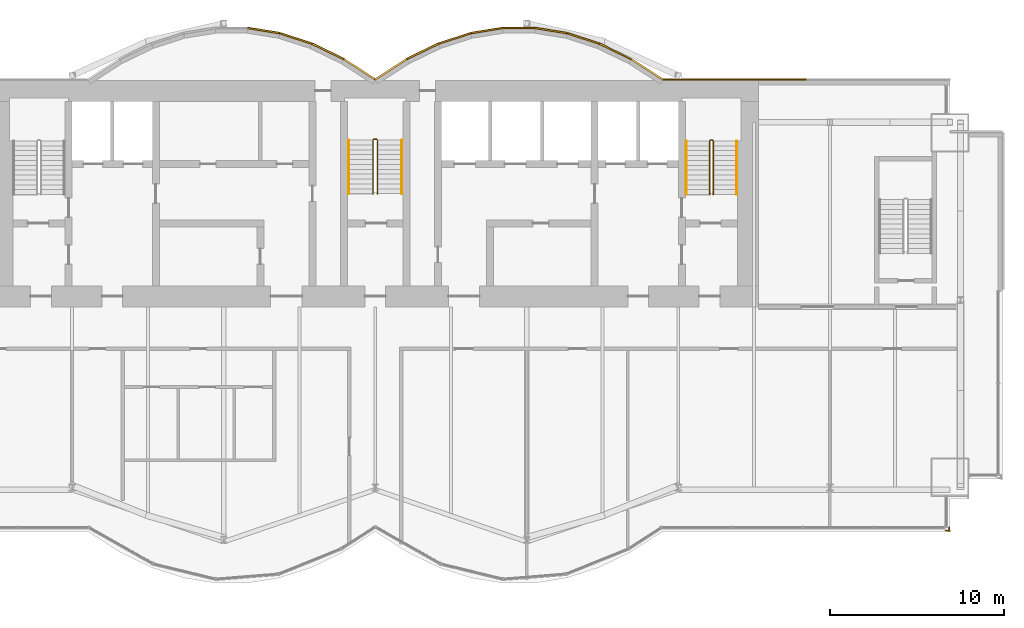
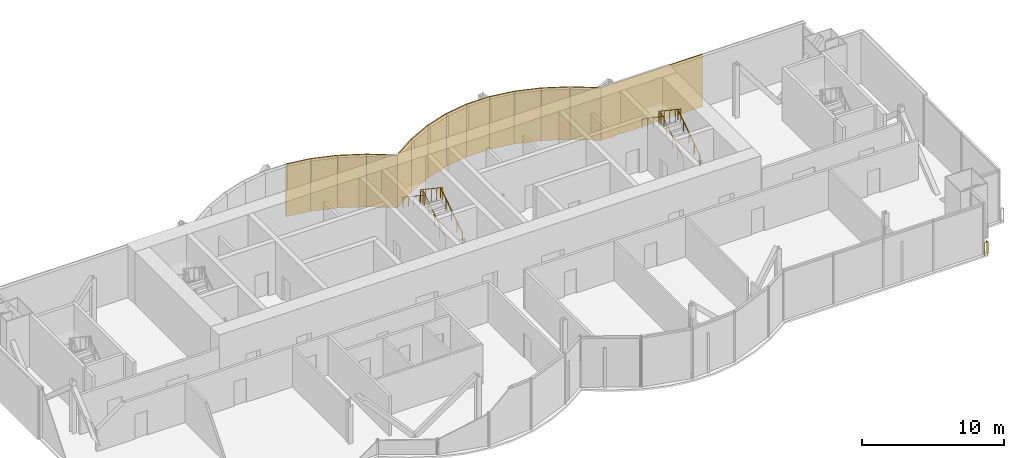
# One storey, part 16 of 17: 14 coverings, 7 railings.
"""IFC4 building model written with IfcOpenShell, lengths in metres."""

from ifc_helpers import new_model, si_unit, direction, frame, origin, origin_2d, place, context, subcontext, project, spatial, rectangle, circle, extrude, material, layer, layer_set, type_object, element, save


model = new_model("IFC4")

# Units and contexts
model_context = context("Model", 3, precision=1e-05, world=origin(), true_north=direction((0.0, 1.0)))
body_context = subcontext(model_context, "Body", "Model", "MODEL_VIEW")
ifc_project = project(units=[si_unit("LENGTHUNIT", "METRE"), si_unit("AREAUNIT", "SQUARE_METRE"), si_unit("VOLUMEUNIT", "CUBIC_METRE"), si_unit("PLANEANGLEUNIT", "RADIAN"), si_unit("MASSUNIT", "GRAM", prefix="KILO")], contexts=[model_context])

# Site, building, storey
site_placement = place(None, origin())
site = spatial("IfcSite", under=ifc_project, at=site_placement, CompositionType="ELEMENT")
building_placement = place(site_placement, origin())
building = spatial("IfcBuilding", under=site, at=building_placement, Name="Bicima Exchange Tower", CompositionType="ELEMENT")
storey_placement = place(building_placement, frame((0.0, 0.0, 320.0)))
storey = spatial("IfcBuildingStorey", under=building, at=storey_placement, Name="L72", CompositionType="ELEMENT", Elevation=320.0)

# Coverings
ifc_material_1 = material(Name="Bronze metal cladding")
ifc_layer_1 = layer(ifc_material_1, 0.004)
ifc_material_2 = material(Name="Ventilated cavity")
ifc_layer_2 = layer(ifc_material_2, 0.06)
ifc_material_3 = material(Name="Galvanised steel rail and mineral wool", Category="steel")
ifc_layer_3 = layer(ifc_material_3, 0.036)
ifc_layer_set = layer_set([ifc_layer_1, ifc_layer_2, ifc_layer_3], Name="Ventilated cavity")
covering_type = type_object("IfcCoveringType", Name="Bronze metal cladding panel 100", PredefinedType="CLADDING", material=ifc_layer_set)
covering_1_placement = place(storey_placement, frame((20.625, 0.050048828125, -0.14990234375), z_axis=(0.0, 0.0, 1.0), x_axis=(-1.0, 0.0, 0.0)))
element("IfcCovering", 1, at=covering_1_placement, inside=storey, type_object=covering_type, Name="Bronze cladding L72 1.2", PredefinedType="CLADDING", context=body_context, shape_type="SweptSolid", body=[
    extrude(rectangle(XDim=8.25, YDim=0.10009765625, at=origin_2d()), origin(), (0.0, 0.0, 1.0), 4.5),
])
covering_2_placement = place(storey_placement, frame((15.610595703125, 0.634521484375, -0.14990234375), z_axis=(0.0, 0.0, 1.0), x_axis=(-0.839790466384, 0.542910648791, 0.0)))
element("IfcCovering", 2, at=covering_2_placement, inside=storey, type_object=covering_type, Name="Bronze cladding L72 2.1", PredefinedType="CLADDING", context=body_context, shape_type="SweptSolid", body=[
    extrude(rectangle(XDim=2.18310546875, YDim=0.10009765625, at=origin_2d()), origin(), (0.0, 0.0, 1.0), 4.5),
])
covering_3_placement = place(storey_placement, frame((13.771728515625, 1.674560546875, -0.14990234375), z_axis=(0.0, 0.0, 1.0), x_axis=(-0.899818346812, 0.436264762204, 0.0)))
element("IfcCovering", 3, at=covering_3_placement, inside=storey, type_object=covering_type, Name="Bronze cladding L72 3.1", PredefinedType="CLADDING", context=body_context, shape_type="SweptSolid", body=[
    extrude(rectangle(XDim=2.03759765625, YDim=0.10009765625, at=origin_2d()), origin(), (0.0, 0.0, 1.0), 4.5),
])
covering_4_placement = place(storey_placement, frame((11.931884765625, 2.41796875, -0.14990234375), z_axis=(0.0, 0.0, 1.0), x_axis=(-0.951524642381, 0.307572519808, 0.0)))
element("IfcCovering", 4, at=covering_4_placement, inside=storey, type_object=covering_type, Name="Bronze cladding L72 4.1", PredefinedType="CLADDING", context=body_context, shape_type="SweptSolid", body=[
    extrude(rectangle(XDim=1.9267578125, YDim=0.10009765625, at=origin_2d()), origin(), (0.0, 0.0, 1.0), 4.5),
])
covering_5_placement = place(storey_placement, frame((10.09130859375, 2.8642578125, -0.14990234375), z_axis=(0.0, 0.0, 1.0), x_axis=(-0.987189786347, 0.159550386184, 0.0)))
element("IfcCovering", 5, at=covering_5_placement, inside=storey, type_object=covering_type, Name="Bronze cladding L72 5.1", PredefinedType="CLADDING", context=body_context, shape_type="SweptSolid", body=[
    extrude(rectangle(XDim=1.857177734375, YDim=0.10009765625, at=origin_2d()), origin(), (0.0, 0.0, 1.0), 4.5),
])
covering_6_placement = place(storey_placement, frame((8.25, 3.012939453125, -0.14990234375), z_axis=(0.0, 0.0, 1.0), x_axis=(-1.0, 0.0, 0.0)))
element("IfcCovering", 6, at=covering_6_placement, inside=storey, type_object=covering_type, Name="Bronze cladding L72 6.1", PredefinedType="CLADDING", context=body_context, shape_type="SweptSolid", body=[
    extrude(rectangle(XDim=1.83349609375, YDim=0.10009765625, at=origin_2d()), origin(), (0.0, 0.0, 1.0), 4.5),
])
covering_7_placement = place(storey_placement, frame((6.40869140625, 2.8642578125, -0.14990234375), z_axis=(0.0, 0.0, 1.0), x_axis=(-0.987189786347, -0.159550386184, 0.0)))
element("IfcCovering", 7, at=covering_7_placement, inside=storey, type_object=covering_type, Name="Bronze cladding L72 7.1", PredefinedType="CLADDING", context=body_context, shape_type="SweptSolid", body=[
    extrude(rectangle(XDim=1.857177734375, YDim=0.10009765625, at=origin_2d()), origin(), (0.0, 0.0, 1.0), 4.5),
])
covering_8_placement = place(storey_placement, frame((4.568115234375, 2.41796875, -0.14990234375), z_axis=(0.0, 0.0, 1.0), x_axis=(-0.951524642381, -0.307572519808, 0.0)))
element("IfcCovering", 8, at=covering_8_placement, inside=storey, type_object=covering_type, Name="Bronze cladding L72 8.1", PredefinedType="CLADDING", context=body_context, shape_type="SweptSolid", body=[
    extrude(rectangle(XDim=1.9267578125, YDim=0.10009765625, at=origin_2d()), origin(), (0.0, 0.0, 1.0), 4.5),
])
covering_9_placement = place(storey_placement, frame((2.728271484375, 1.674560546875, -0.14990234375), z_axis=(0.0, 0.0, 1.0), x_axis=(-0.899818346812, -0.436264762204, 0.0)))
element("IfcCovering", 9, at=covering_9_placement, inside=storey, type_object=covering_type, Name="Bronze cladding L72 9.1", PredefinedType="CLADDING", context=body_context, shape_type="SweptSolid", body=[
    extrude(rectangle(XDim=2.03759765625, YDim=0.10009765625, at=origin_2d()), origin(), (0.0, 0.0, 1.0), 4.5),
])
for number, where, z_axis, x_axis, name in (
    (10, (0.889404296875, 0.634521484375, -0.14990234375), (0.0, 0.0, 1.0), (-0.839790466384, -0.542910648791, 0.0), "Bronze cladding L72 10.1"),
    (11, (-0.889404296875, 0.634521484375, -0.14990234375), (0.0, 0.0, 1.0), (-0.839790466384, 0.542910648791, 0.0), "Bronze cladding L72 11.1"),
):
    element("IfcCovering", number, at=place(storey_placement, frame(where, z_axis=z_axis, x_axis=x_axis)), inside=storey, type_object=covering_type, Name=name, PredefinedType="CLADDING", context=body_context, shape_type="SweptSolid", body=[
        extrude(rectangle(XDim=2.18310546875, YDim=0.10009765625, at=origin_2d()), origin(), (0.0, 0.0, 1.0), 4.5),
    ])
covering_10_placement = place(storey_placement, frame((-2.728271484375, 1.674560546875, -0.14990234375), z_axis=(0.0, 0.0, 1.0), x_axis=(-0.899818346812, 0.436264762204, 0.0)))
element("IfcCovering", 12, at=covering_10_placement, inside=storey, type_object=covering_type, Name="Bronze cladding L72 12.1", PredefinedType="CLADDING", context=body_context, shape_type="SweptSolid", body=[
    extrude(rectangle(XDim=2.03759765625, YDim=0.10009765625, at=origin_2d()), origin(), (0.0, 0.0, 1.0), 4.5),
])
covering_11_placement = place(storey_placement, frame((-4.568115234375, 2.41796875, -0.14990234375), z_axis=(0.0, 0.0, 1.0), x_axis=(-0.951524642381, 0.307572519808, 0.0)))
element("IfcCovering", 13, at=covering_11_placement, inside=storey, type_object=covering_type, Name="Bronze cladding L72 13.1", PredefinedType="CLADDING", context=body_context, shape_type="SweptSolid", body=[
    extrude(rectangle(XDim=1.9267578125, YDim=0.10009765625, at=origin_2d()), origin(), (0.0, 0.0, 1.0), 4.5),
])
covering_12_placement = place(storey_placement, frame((-6.40869140625, 2.8642578125, -0.14990234375), z_axis=(0.0, 0.0, 1.0), x_axis=(-0.987189786347, 0.159550386184, 0.0)))
element("IfcCovering", 14, at=covering_12_placement, inside=storey, type_object=covering_type, Name="Bronze cladding L72 14.1", PredefinedType="CLADDING", context=body_context, shape_type="SweptSolid", body=[
    extrude(rectangle(XDim=1.857177734375, YDim=0.10009765625, at=origin_2d()), origin(), (0.0, 0.0, 1.0), 4.5),
])

# Railings
ifc_material_4 = material(Name="Stainless steel and bonded safety glass", Category="steel")
railing_type_1 = type_object("IfcRailingType", Name="Edge guard 1100", PredefinedType="GUARDRAIL", material=ifc_material_4)
railing_1_placement = place(storey_placement, frame((32.949951171875, -25.658935546875, 0.0)))
element("IfcRailing", 15, at=railing_1_placement, inside=storey, type_object=railing_type_1, Name="Edge guard L72 376", PredefinedType="GUARDRAIL", context=body_context, shape_type="SweptSolid", body=[
    extrude(circle(Radius=0.02392578125, at=origin_2d()), frame((0.0, 0.0, 1.076171875), z_axis=(0.0, -1.0, 0.0), x_axis=(1.0, 0.0, 0.0)), (0.0, 0.0, 1.0), 0.237060546875),
    extrude(circle(Radius=0.02392578125, at=origin_2d()), frame((0.0, -0.237060546875, 1.076171875), z_axis=(0.707106781187, 0.707106781187, 0.0), x_axis=(-0.707106781187, 0.707106781187, 0.0)), (0.0, 0.0, 1.0), 0.07080078125),
    extrude(circle(Radius=0.02392578125, at=origin_2d()), frame((0.050048828125, -0.18701171875, 1.076171875), z_axis=(-1.0, 0.0, 0.0), x_axis=(0.0, -1.0, 0.0)), (0.0, 0.0, 1.0), 0.25),
    extrude(circle(Radius=0.02099609375, at=origin_2d()), origin(), (0.0, 0.0, 1.0), 1.052001953125),
    extrude(circle(Radius=0.02099609375, at=origin_2d()), frame((0.0, -0.237060546875, 0.0)), (0.0, 0.0, 1.0), 1.052001953125),
    extrude(circle(Radius=0.02099609375, at=origin_2d()), frame((0.050048828125, -0.18701171875, 0.0)), (0.0, 0.0, 1.0), 1.052001953125),
    extrude(circle(Radius=0.02099609375, at=origin_2d()), frame((-0.199951171875, -0.18701171875, 0.0)), (0.0, 0.0, 1.0), 1.052001953125),
])
ifc_material_5 = material(Name="Stainless steel", Category="steel")
railing_type_2 = type_object("IfcRailingType", Name="Stair guard 1100", PredefinedType="GUARDRAIL", material=ifc_material_5)
railing_2_placement = place(storey_placement, frame((0.125, -6.5, 0.1875)))
element("IfcRailing", 16, at=railing_2_placement, inside=storey, type_object=railing_type_2, Name="L72 ST-C stair guard 1", PredefinedType="GUARDRAIL", context=body_context, shape_type="SweptSolid", body=[
    extrude(circle(Radius=0.02392578125, at=origin_2d()), frame((0.0, 0.0, 1.076171875), z_axis=(0.0, 0.830913701846, 0.55640131208), x_axis=(-1.0, 0.0, 0.0)), (0.0, 0.0, 1.0), 3.706787109375),
    extrude(circle(Radius=0.02392578125, at=origin_2d()), frame((0.0, 3.080078125, 3.138671875), z_axis=(-0.708833529934, 0.705375805398, 0.0), x_axis=(-0.705375805398, -0.708833529934, 0.0)), (0.0, 0.0, 1.0), 0.070556640625),
    extrude(circle(Radius=0.02392578125, at=origin_2d()), frame((-0.050048828125, 3.1298828125, 3.138671875), z_axis=(-1.0, 0.0, 0.0), x_axis=(0.0, -1.0, 0.0)), (0.0, 0.0, 1.0), 0.14990234375),
    extrude(circle(Radius=0.02392578125, at=origin_2d()), frame((-0.199951171875, 3.1298828125, 3.138671875), z_axis=(-0.249802250048, -0.248583702486, 0.935844527007), x_axis=(0.705375805398, -0.708833529934, 0.0)), (0.0, 0.0, 1.0), 0.200439453125),
    extrude(circle(Radius=0.02392578125, at=origin_2d()), frame((-0.25, 3.080078125, 3.326171875), z_axis=(0.0, -0.830913701846, 0.55640131208), x_axis=(1.0, 0.0, 0.0)), (0.0, 0.0, 1.0), 3.706787109375),
    extrude(circle(Radius=0.02099609375, at=origin_2d()), origin(), (0.0, 0.0, 1.0), 1.052001953125),
    extrude(circle(Radius=0.02099609375, at=origin_2d()), frame((0.0, 0.77001953125, 0.515625)), (0.0, 0.0, 1.0), 1.052001953125),
    extrude(circle(Radius=0.02099609375, at=origin_2d()), frame((0.0, 1.5400390625, 1.03125)), (0.0, 0.0, 1.0), 1.052001953125),
    extrude(circle(Radius=0.02099609375, at=origin_2d()), frame((0.0, 2.31005859375, 1.546875)), (0.0, 0.0, 1.0), 1.052001953125),
    extrude(circle(Radius=0.02099609375, at=origin_2d()), frame((0.0, 3.080078125, 2.0625)), (0.0, 0.0, 1.0), 1.052001953125),
    extrude(circle(Radius=0.02099609375, at=origin_2d()), frame((-0.050048828125, 3.1298828125, 2.0625)), (0.0, 0.0, 1.0), 1.052001953125),
    extrude(circle(Radius=0.02099609375, at=origin_2d()), frame((-0.199951171875, 3.1298828125, 2.0625)), (0.0, 0.0, 1.0), 1.052001953125),
    extrude(circle(Radius=0.02099609375, at=origin_2d()), frame((-0.25, 3.080078125, 2.25)), (0.0, 0.0, 1.0), 1.052001953125),
    extrude(circle(Radius=0.02099609375, at=origin_2d()), frame((-0.25, 2.31005859375, 2.765625)), (0.0, 0.0, 1.0), 1.052001953125),
    extrude(circle(Radius=0.02099609375, at=origin_2d()), frame((-0.25, 1.5400390625, 3.28125)), (0.0, 0.0, 1.0), 1.052001953125),
    extrude(circle(Radius=0.02099609375, at=origin_2d()), frame((-0.25, 0.77001953125, 3.796875)), (0.0, 0.0, 1.0), 1.052001953125),
    extrude(circle(Radius=0.02099609375, at=origin_2d()), frame((-0.25, 0.0, 4.3125)), (0.0, 0.0, 1.0), 1.052001953125),
])
railing_3_placement = place(storey_placement, frame((19.39990234375, -6.550048828125, 0.1875)))
element("IfcRailing", 17, at=railing_3_placement, inside=storey, type_object=railing_type_2, Name="L72 ST-E stair guard 1", PredefinedType="GUARDRAIL", context=body_context, shape_type="SweptSolid", body=[
    extrude(circle(Radius=0.02392578125, at=origin_2d()), frame((0.0, 0.0, 1.076171875), z_axis=(0.0, 0.830913701846, 0.55640131208), x_axis=(-1.0, 0.0, 0.0)), (0.0, 0.0, 1.0), 3.706787109375),
    extrude(circle(Radius=0.02392578125, at=origin_2d()), frame((0.0, 3.080078125, 3.138671875), z_axis=(-0.705375805398, 0.708833529934, 0.0), x_axis=(-0.708833529934, -0.705375805398, 0.0)), (0.0, 0.0, 1.0), 0.070556640625),
    extrude(circle(Radius=0.02392578125, at=origin_2d()), frame((-0.0498046875, 3.130126953125, 3.138671875), z_axis=(-1.0, 0.0, 0.0), x_axis=(0.0, -1.0, 0.0)), (0.0, 0.0, 1.0), 0.10009765625),
    extrude(circle(Radius=0.02392578125, at=origin_2d()), frame((-0.14990234375, 3.130126953125, 3.138671875), z_axis=(-0.249726431254, -0.249726431254, 0.935560483917), x_axis=(0.707106781187, -0.707106781187, 0.0)), (0.0, 0.0, 1.0), 0.200439453125),
    extrude(circle(Radius=0.02392578125, at=origin_2d()), frame((-0.199951171875, 3.080078125, 3.326171875), z_axis=(0.0, -0.830913701846, 0.55640131208), x_axis=(1.0, 0.0, 0.0)), (0.0, 0.0, 1.0), 3.706787109375),
    extrude(circle(Radius=0.02099609375, at=origin_2d()), origin(), (0.0, 0.0, 1.0), 1.052001953125),
    extrude(circle(Radius=0.02099609375, at=origin_2d()), frame((0.0, 0.77001953125, 0.515625)), (0.0, 0.0, 1.0), 1.052001953125),
    extrude(circle(Radius=0.02099609375, at=origin_2d()), frame((0.0, 1.5400390625, 1.03125)), (0.0, 0.0, 1.0), 1.052001953125),
    extrude(circle(Radius=0.02099609375, at=origin_2d()), frame((0.0, 2.31005859375, 1.546875)), (0.0, 0.0, 1.0), 1.052001953125),
    extrude(circle(Radius=0.02099609375, at=origin_2d()), frame((0.0, 3.080078125, 2.0625)), (0.0, 0.0, 1.0), 1.052001953125),
    extrude(circle(Radius=0.02099609375, at=origin_2d()), frame((-0.0498046875, 3.130126953125, 2.0625)), (0.0, 0.0, 1.0), 1.052001953125),
    extrude(circle(Radius=0.02099609375, at=origin_2d()), frame((-0.14990234375, 3.130126953125, 2.0625)), (0.0, 0.0, 1.0), 1.052001953125),
    extrude(circle(Radius=0.02099609375, at=origin_2d()), frame((-0.199951171875, 3.080078125, 2.25)), (0.0, 0.0, 1.0), 1.052001953125),
    extrude(circle(Radius=0.02099609375, at=origin_2d()), frame((-0.199951171875, 2.31005859375, 2.765625)), (0.0, 0.0, 1.0), 1.052001953125),
    extrude(circle(Radius=0.02099609375, at=origin_2d()), frame((-0.199951171875, 1.5400390625, 3.28125)), (0.0, 0.0, 1.0), 1.052001953125),
    extrude(circle(Radius=0.02099609375, at=origin_2d()), frame((-0.199951171875, 0.77001953125, 3.796875)), (0.0, 0.0, 1.0), 1.052001953125),
    extrude(circle(Radius=0.02099609375, at=origin_2d()), frame((-0.199951171875, 0.0, 4.3125)), (0.0, 0.0, 1.0), 1.052001953125),
])
railing_type_3 = type_object("IfcRailingType", Name="Stair handrail 900", PredefinedType="HANDRAIL", material=ifc_material_5)
railing_4_placement = place(storey_placement, frame((1.52490234375, -6.5, 0.1875)))
element("IfcRailing", 18, at=railing_4_placement, inside=storey, type_object=railing_type_3, Name="L72 ST-C stair handrail 1", PredefinedType="HANDRAIL", context=body_context, shape_type="SweptSolid", body=[
    extrude(circle(Radius=0.02392578125, at=origin_2d()), frame((0.0, 0.0, 0.8759765625), z_axis=(0.0, 0.830913701846, 0.55640131208), x_axis=(-1.0, 0.0, 0.0)), (0.0, 0.0, 1.0), 3.706787109375),
    extrude(circle(Radius=0.02099609375, at=origin_2d()), origin(), (0.0, 0.0, 1.0), 0.851806640625),
    extrude(circle(Radius=0.02099609375, at=origin_2d()), frame((0.0, 0.77001953125, 0.515625)), (0.0, 0.0, 1.0), 0.851806640625),
    extrude(circle(Radius=0.02099609375, at=origin_2d()), frame((0.0, 1.5400390625, 1.03125)), (0.0, 0.0, 1.0), 0.851806640625),
    extrude(circle(Radius=0.02099609375, at=origin_2d()), frame((0.0, 2.31005859375, 1.546875)), (0.0, 0.0, 1.0), 0.851806640625),
    extrude(circle(Radius=0.02099609375, at=origin_2d()), frame((0.0, 3.080078125, 2.0625)), (0.0, 0.0, 1.0), 0.851806640625),
])
railing_5_placement = place(storey_placement, frame((-1.52490234375, -3.419921875, 2.47900390625)))
element("IfcRailing", 19, at=railing_5_placement, inside=storey, type_object=railing_type_3, Name="L72 ST-C stair handrail 2", PredefinedType="HANDRAIL", context=body_context, shape_type="SweptSolid", body=[
    extrude(circle(Radius=0.02392578125, at=origin_2d()), frame((0.0, 0.0, 0.8759765625), z_axis=(0.0, -0.830913701846, 0.55640131208), x_axis=(1.0, 0.0, 0.0)), (0.0, 0.0, 1.0), 3.706787109375),
    extrude(circle(Radius=0.02099609375, at=origin_2d()), origin(), (0.0, 0.0, 1.0), 0.851806640625),
    extrude(circle(Radius=0.02099609375, at=origin_2d()), frame((0.0, -0.77001953125, 0.515625)), (0.0, 0.0, 1.0), 0.851806640625),
    extrude(circle(Radius=0.02099609375, at=origin_2d()), frame((0.0, -1.5400390625, 1.03125)), (0.0, 0.0, 1.0), 0.851806640625),
    extrude(circle(Radius=0.02099609375, at=origin_2d()), frame((0.0, -2.31005859375, 1.546875)), (0.0, 0.0, 1.0), 0.851806640625),
    extrude(circle(Radius=0.02099609375, at=origin_2d()), frame((0.0, -3.080078125, 2.0625)), (0.0, 0.0, 1.0), 0.851806640625),
])
railing_6_placement = place(storey_placement, frame((20.75, -6.550048828125, 0.1875)))
element("IfcRailing", 20, at=railing_6_placement, inside=storey, type_object=railing_type_3, Name="L72 ST-E stair handrail 1", PredefinedType="HANDRAIL", context=body_context, shape_type="SweptSolid", body=[
    extrude(circle(Radius=0.02392578125, at=origin_2d()), frame((0.0, 0.0, 0.8759765625), z_axis=(0.0, 0.830913701846, 0.55640131208), x_axis=(-1.0, 0.0, 0.0)), (0.0, 0.0, 1.0), 3.706787109375),
    extrude(circle(Radius=0.02099609375, at=origin_2d()), origin(), (0.0, 0.0, 1.0), 0.851806640625),
    extrude(circle(Radius=0.02099609375, at=origin_2d()), frame((0.0, 0.77001953125, 0.515625)), (0.0, 0.0, 1.0), 0.851806640625),
    extrude(circle(Radius=0.02099609375, at=origin_2d()), frame((0.0, 1.5400390625, 1.03125)), (0.0, 0.0, 1.0), 0.851806640625),
    extrude(circle(Radius=0.02099609375, at=origin_2d()), frame((0.0, 2.31005859375, 1.546875)), (0.0, 0.0, 1.0), 0.851806640625),
    extrude(circle(Radius=0.02099609375, at=origin_2d()), frame((0.0, 3.080078125, 2.0625)), (0.0, 0.0, 1.0), 0.851806640625),
])
railing_7_placement = place(storey_placement, frame((17.85009765625, -3.469970703125, 2.47900390625)))
element("IfcRailing", 21, at=railing_7_placement, inside=storey, type_object=railing_type_3, Name="L72 ST-E stair handrail 2", PredefinedType="HANDRAIL", context=body_context, shape_type="SweptSolid", body=[
    extrude(circle(Radius=0.02392578125, at=origin_2d()), frame((0.0, 0.0, 0.8759765625), z_axis=(0.0, -0.830913701846, 0.55640131208), x_axis=(1.0, 0.0, 0.0)), (0.0, 0.0, 1.0), 3.706787109375),
    extrude(circle(Radius=0.02099609375, at=origin_2d()), origin(), (0.0, 0.0, 1.0), 0.851806640625),
    extrude(circle(Radius=0.02099609375, at=origin_2d()), frame((0.0, -0.77001953125, 0.515625)), (0.0, 0.0, 1.0), 0.851806640625),
    extrude(circle(Radius=0.02099609375, at=origin_2d()), frame((0.0, -1.5400390625, 1.03125)), (0.0, 0.0, 1.0), 0.851806640625),
    extrude(circle(Radius=0.02099609375, at=origin_2d()), frame((0.0, -2.31005859375, 1.546875)), (0.0, 0.0, 1.0), 0.851806640625),
    extrude(circle(Radius=0.02099609375, at=origin_2d()), frame((0.0, -3.080078125, 2.0625)), (0.0, 0.0, 1.0), 0.851806640625),
])

save(model, "model.ifc")
